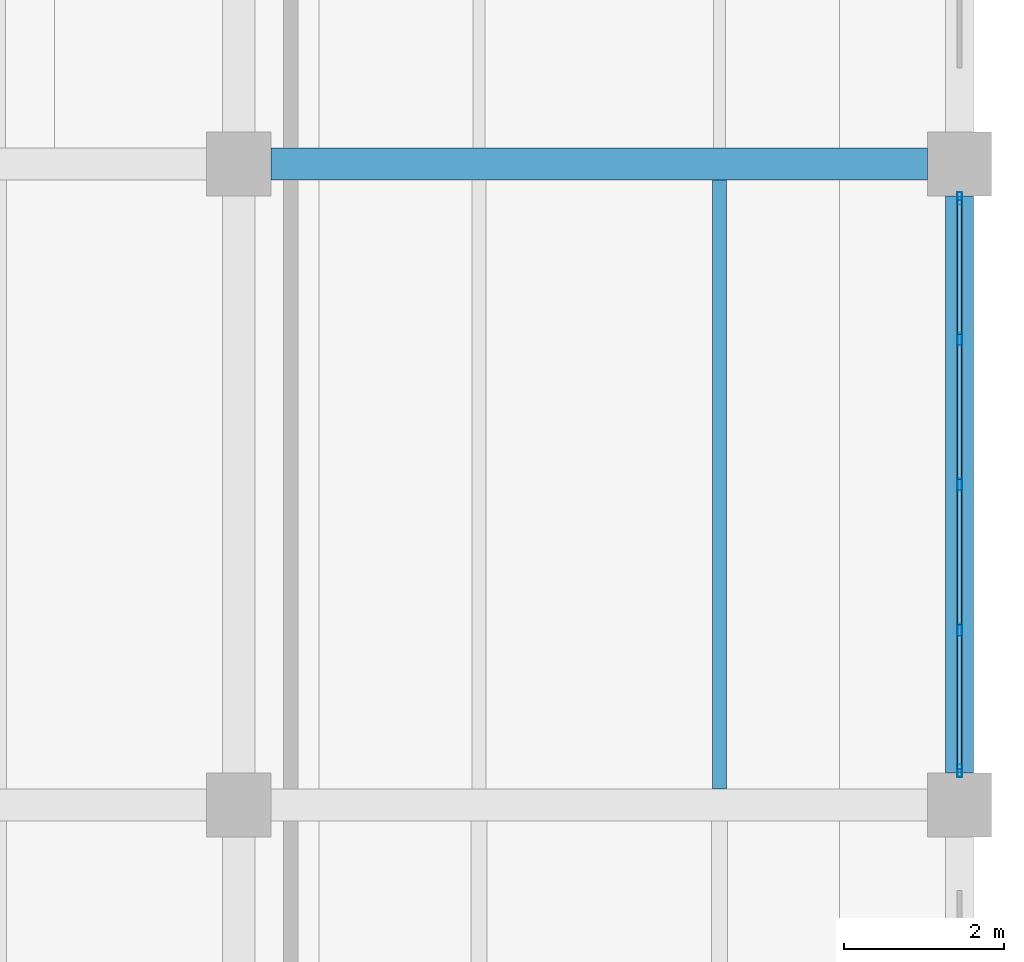
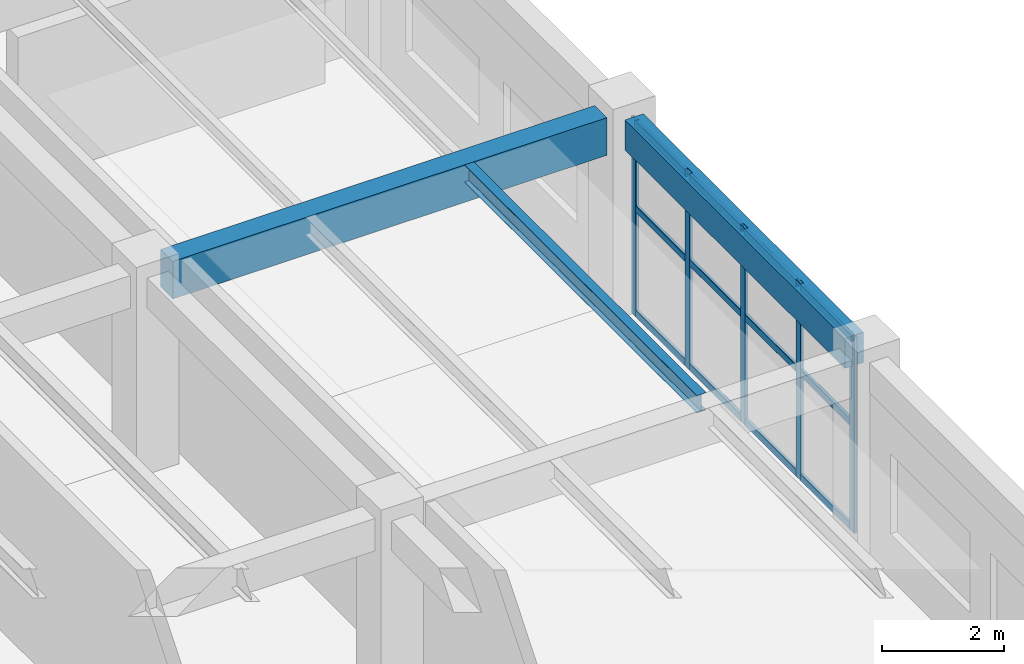
# One storey, part 98 of 148: 17 members, 3 beams, 1 element without a shape of its own.
"""IFC4 building model written with IfcOpenShell, lengths in metres."""

from ifc_helpers import new_model, si_unit, derived_unit, direction, frame, origin, origin_2d, place, context, subcontext, project, spatial, rectangle, hollow_rectangle, i_section, extrude, material, material_profile, profile_set, type_object, element, aggregate, save


model = new_model("IFC4")

# Units and contexts
model_context = context("Model", 3, precision=1e-05, world=origin(), true_north=direction((0.0, 1.0)))
body_context = subcontext(model_context, "Body", "Model", "MODEL_VIEW")
ifc_project = project(units=[si_unit("LENGTHUNIT", "METRE"), si_unit("AREAUNIT", "SQUARE_METRE"), si_unit("VOLUMEUNIT", "CUBIC_METRE"), si_unit("PLANEANGLEUNIT", "RADIAN"), si_unit("MASSUNIT", "GRAM", prefix="KILO"), derived_unit("THERMALTRANSMITTANCEUNIT", [(si_unit("MASSUNIT", "GRAM", prefix="KILO"), 1), (si_unit("TIMEUNIT", "SECOND"), -3), (si_unit("THERMODYNAMICTEMPERATUREUNIT", "KELVIN"), -1)])], contexts=[model_context])

# Site, building, storey
site_placement = place(None, origin())
site = spatial("IfcSite", under=ifc_project, at=site_placement, CompositionType="ELEMENT")
building_placement = place(site_placement, origin())
building = spatial("IfcBuilding", under=site, at=building_placement, Name="Zhenchuan Archway Interchange", CompositionType="ELEMENT")
storey_placement = place(building_placement, frame((0.0, 0.0, 10.199951171875)))
storey = spatial("IfcBuildingStorey", under=building, at=storey_placement, Name="L02", CompositionType="ELEMENT", Elevation=10.199951171875)

# Beam
ifc_material_1 = material(Name="Concrete C40", Category="concrete")
ifc_material_profile_1 = material_profile(ifc_material_1, rectangle(XDim=0.39990234375, YDim=0.75, at=origin_2d()), Name="RC 400x750")
ifc_profile_set_1 = profile_set([ifc_material_profile_1], Name="Concrete C40")
beam_type_1 = type_object("IfcBeamType", Name="BM_RC_400x750", PredefinedType="BEAM", material=ifc_profile_set_1)
beam_1_placement = place(storey_placement, frame((162.39990234375, 40.0, 3.545166015625), z_axis=(1.0, 0.0, 0.0), x_axis=(0.0, 1.0, 0.0)))
element("IfcBeam", 1, at=beam_1_placement, inside=storey, type_object=beam_type_1, Name="Beam F:19-20 (L02)", PredefinedType="BEAM", context=body_context, shape_type="SweptSolid", body=[
    extrude(rectangle(XDim=0.39990234375, YDim=0.75, at=origin_2d()), origin(), (0.0, 0.0, 1.0), 8.2001953125),
])

# Curtain wall, members
ifc_material_2 = material(Name="Anodised Aluminium", Category="aluminium")
curtain_wall_type = type_object("IfcCurtainWallType", Name="CW_UNIT_3", PredefinedType="NOTDEFINED", material=ifc_material_2)
curtain_wall_placement = place(storey_placement, origin())
curtain_wall = element("IfcCurtainWall", 2, at=curtain_wall_placement, inside=storey, type_object=curtain_wall_type, Name="Unitised curtain wall CW:L02:154", PredefinedType="NOTDEFINED")
ifc_material_profile_2 = material_profile(ifc_material_2, hollow_rectangle(XDim=0.06005859375, YDim=0.159912109375, WallThickness=0.00390625, InnerFilletRadius=0.00390625, OuterFilletRadius=0.008056640625, at=origin_2d()), Name="ALU 160x60x4")
ifc_profile_set_2 = profile_set([ifc_material_profile_2], Name="Anodised Aluminium")
member_type_1 = type_object("IfcMemberType", Name="CW_MUL_150", PredefinedType="MULLION", material=ifc_profile_set_2)
member_1_placement = place(storey_placement, frame((171.0, 39.572021484375, 0.0), z_axis=(0.0, 0.0, 1.0), x_axis=(1.0, 0.0, 0.0)))
member_1 = element("IfcMember", 3, at=member_1_placement, type_object=member_type_1, Name="CW:L02:154 mullion 0", PredefinedType="MULLION", context=body_context, shape_type="SweptSolid", body=[
    extrude(hollow_rectangle(XDim=0.06005859375, YDim=0.159912109375, WallThickness=0.00390625, InnerFilletRadius=0.00390625, OuterFilletRadius=0.008056640625, at=origin_2d()), origin(), (0.0, 0.0, 1.0), 3.920166015625),
])
member_2_placement = place(storey_placement, frame((171.0, 37.81591796875, 0.0), z_axis=(0.0, 0.0, 1.0), x_axis=(1.0, 0.0, 0.0)))
member_2 = element("IfcMember", 4, at=member_2_placement, type_object=member_type_1, Name="CW:L02:154 mullion 1", PredefinedType="MULLION", context=body_context, shape_type="SweptSolid", body=[
    extrude(hollow_rectangle(XDim=0.06005859375, YDim=0.159912109375, WallThickness=0.00390625, InnerFilletRadius=0.00390625, OuterFilletRadius=0.008056640625, at=origin_2d()), origin(), (0.0, 0.0, 1.0), 3.920166015625),
])
member_3_placement = place(storey_placement, frame((171.0, 36.0, 0.0), z_axis=(0.0, 0.0, 1.0), x_axis=(1.0, 0.0, 0.0)))
member_3 = element("IfcMember", 5, at=member_3_placement, type_object=member_type_1, Name="CW:L02:154 mullion 2", PredefinedType="MULLION", context=body_context, shape_type="SweptSolid", body=[
    extrude(hollow_rectangle(XDim=0.06005859375, YDim=0.159912109375, WallThickness=0.00390625, InnerFilletRadius=0.00390625, OuterFilletRadius=0.008056640625, at=origin_2d()), origin(), (0.0, 0.0, 1.0), 3.920166015625),
])
member_4_placement = place(storey_placement, frame((171.0, 34.18408203125, 0.0), z_axis=(0.0, 0.0, 1.0), x_axis=(1.0, 0.0, 0.0)))
member_4 = element("IfcMember", 6, at=member_4_placement, type_object=member_type_1, Name="CW:L02:154 mullion 3", PredefinedType="MULLION", context=body_context, shape_type="SweptSolid", body=[
    extrude(hollow_rectangle(XDim=0.06005859375, YDim=0.159912109375, WallThickness=0.00390625, InnerFilletRadius=0.00390625, OuterFilletRadius=0.008056640625, at=origin_2d()), origin(), (0.0, 0.0, 1.0), 3.920166015625),
])
member_5_placement = place(storey_placement, frame((171.0, 32.427978515625, 0.0), z_axis=(0.0, 0.0, 1.0), x_axis=(1.0, 0.0, 0.0)))
member_5 = element("IfcMember", 7, at=member_5_placement, type_object=member_type_1, Name="CW:L02:154 mullion 4", PredefinedType="MULLION", context=body_context, shape_type="SweptSolid", body=[
    extrude(hollow_rectangle(XDim=0.06005859375, YDim=0.159912109375, WallThickness=0.00390625, InnerFilletRadius=0.00390625, OuterFilletRadius=0.008056640625, at=origin_2d()), origin(), (0.0, 0.0, 1.0), 3.920166015625),
])
ifc_material_profile_3 = material_profile(ifc_material_2, hollow_rectangle(XDim=0.06005859375, YDim=0.139892578125, WallThickness=0.00341796875, InnerFilletRadius=0.00341796875, OuterFilletRadius=0.007080078125, at=origin_2d()), Name="ALU 140x60x3.5")
ifc_profile_set_3 = profile_set([ifc_material_profile_3], Name="Anodised Aluminium")
member_type_2 = type_object("IfcMemberType", Name="CW_TRN_140", PredefinedType="USERDEFINED", material=ifc_profile_set_3)
member_6_placement = place(storey_placement, frame((171.0, 39.552001953125, 0.06005859375), z_axis=(0.0, -1.0, 0.0), x_axis=(1.0, 0.0, 0.0)))
member_6 = element("IfcMember", 8, at=member_6_placement, type_object=member_type_2, Name="CW:L02:154 transom 0-1", ObjectType="TRANSOM", PredefinedType="USERDEFINED", context=body_context, shape_type="SweptSolid", body=[
    extrude(hollow_rectangle(XDim=0.06005859375, YDim=0.139892578125, WallThickness=0.00341796875, InnerFilletRadius=0.00341796875, OuterFilletRadius=0.007080078125, at=origin_2d()), origin(), (0.0, 0.0, 1.0), 1.676025390625),
])
member_7_placement = place(storey_placement, frame((171.0, 39.552001953125, 2.14501953125), z_axis=(0.0, -1.0, 0.0), x_axis=(1.0, 0.0, 0.0)))
member_7 = element("IfcMember", 9, at=member_7_placement, type_object=member_type_2, Name="CW:L02:154 transom 0-2", ObjectType="TRANSOM", PredefinedType="USERDEFINED", context=body_context, shape_type="SweptSolid", body=[
    extrude(hollow_rectangle(XDim=0.06005859375, YDim=0.139892578125, WallThickness=0.00341796875, InnerFilletRadius=0.00341796875, OuterFilletRadius=0.007080078125, at=origin_2d()), origin(), (0.0, 0.0, 1.0), 1.676025390625),
])
member_8_placement = place(storey_placement, frame((171.0, 39.552001953125, 3.840087890625), z_axis=(0.0, -1.0, 0.0), x_axis=(1.0, 0.0, 0.0)))
member_8 = element("IfcMember", 10, at=member_8_placement, type_object=member_type_2, Name="CW:L02:154 transom 0-3", ObjectType="TRANSOM", PredefinedType="USERDEFINED", context=body_context, shape_type="SweptSolid", body=[
    extrude(hollow_rectangle(XDim=0.06005859375, YDim=0.139892578125, WallThickness=0.00341796875, InnerFilletRadius=0.00341796875, OuterFilletRadius=0.007080078125, at=origin_2d()), origin(), (0.0, 0.0, 1.0), 1.676025390625),
])
member_9_placement = place(storey_placement, frame((171.0, 37.756103515625, 0.06005859375), z_axis=(0.0, -1.0, 0.0), x_axis=(1.0, 0.0, 0.0)))
member_9 = element("IfcMember", 11, at=member_9_placement, type_object=member_type_2, Name="CW:L02:154 transom 1-1", ObjectType="TRANSOM", PredefinedType="USERDEFINED", context=body_context, shape_type="SweptSolid", body=[
    extrude(hollow_rectangle(XDim=0.06005859375, YDim=0.139892578125, WallThickness=0.00341796875, InnerFilletRadius=0.00341796875, OuterFilletRadius=0.007080078125, at=origin_2d()), origin(), (0.0, 0.0, 1.0), 1.696044921875),
])
member_10_placement = place(storey_placement, frame((171.0, 37.756103515625, 2.14501953125), z_axis=(0.0, -1.0, 0.0), x_axis=(1.0, 0.0, 0.0)))
member_10 = element("IfcMember", 12, at=member_10_placement, type_object=member_type_2, Name="CW:L02:154 transom 1-2", ObjectType="TRANSOM", PredefinedType="USERDEFINED", context=body_context, shape_type="SweptSolid", body=[
    extrude(hollow_rectangle(XDim=0.06005859375, YDim=0.139892578125, WallThickness=0.00341796875, InnerFilletRadius=0.00341796875, OuterFilletRadius=0.007080078125, at=origin_2d()), origin(), (0.0, 0.0, 1.0), 1.696044921875),
])
member_11_placement = place(storey_placement, frame((171.0, 37.756103515625, 3.840087890625), z_axis=(0.0, -1.0, 0.0), x_axis=(1.0, 0.0, 0.0)))
member_11 = element("IfcMember", 13, at=member_11_placement, type_object=member_type_2, Name="CW:L02:154 transom 1-3", ObjectType="TRANSOM", PredefinedType="USERDEFINED", context=body_context, shape_type="SweptSolid", body=[
    extrude(hollow_rectangle(XDim=0.06005859375, YDim=0.139892578125, WallThickness=0.00341796875, InnerFilletRadius=0.00341796875, OuterFilletRadius=0.007080078125, at=origin_2d()), origin(), (0.0, 0.0, 1.0), 1.696044921875),
])
member_12_placement = place(storey_placement, frame((171.0, 35.93994140625, 0.06005859375), z_axis=(0.0, -1.0, 0.0), x_axis=(1.0, 0.0, 0.0)))
member_12 = element("IfcMember", 14, at=member_12_placement, type_object=member_type_2, Name="CW:L02:154 transom 2-1", ObjectType="TRANSOM", PredefinedType="USERDEFINED", context=body_context, shape_type="SweptSolid", body=[
    extrude(hollow_rectangle(XDim=0.06005859375, YDim=0.139892578125, WallThickness=0.00341796875, InnerFilletRadius=0.00341796875, OuterFilletRadius=0.007080078125, at=origin_2d()), origin(), (0.0, 0.0, 1.0), 1.696044921875),
])
member_13_placement = place(storey_placement, frame((171.0, 35.93994140625, 2.14501953125), z_axis=(0.0, -1.0, 0.0), x_axis=(1.0, 0.0, 0.0)))
member_13 = element("IfcMember", 15, at=member_13_placement, type_object=member_type_2, Name="CW:L02:154 transom 2-2", ObjectType="TRANSOM", PredefinedType="USERDEFINED", context=body_context, shape_type="SweptSolid", body=[
    extrude(hollow_rectangle(XDim=0.06005859375, YDim=0.139892578125, WallThickness=0.00341796875, InnerFilletRadius=0.00341796875, OuterFilletRadius=0.007080078125, at=origin_2d()), origin(), (0.0, 0.0, 1.0), 1.696044921875),
])
member_14_placement = place(storey_placement, frame((171.0, 35.93994140625, 3.840087890625), z_axis=(0.0, -1.0, 0.0), x_axis=(1.0, 0.0, 0.0)))
member_14 = element("IfcMember", 16, at=member_14_placement, type_object=member_type_2, Name="CW:L02:154 transom 2-3", ObjectType="TRANSOM", PredefinedType="USERDEFINED", context=body_context, shape_type="SweptSolid", body=[
    extrude(hollow_rectangle(XDim=0.06005859375, YDim=0.139892578125, WallThickness=0.00341796875, InnerFilletRadius=0.00341796875, OuterFilletRadius=0.007080078125, at=origin_2d()), origin(), (0.0, 0.0, 1.0), 1.696044921875),
])
member_15_placement = place(storey_placement, frame((171.0, 34.1240234375, 0.06005859375), z_axis=(0.0, -1.0, 0.0), x_axis=(1.0, 0.0, 0.0)))
member_15 = element("IfcMember", 17, at=member_15_placement, type_object=member_type_2, Name="CW:L02:154 transom 3-1", ObjectType="TRANSOM", PredefinedType="USERDEFINED", context=body_context, shape_type="SweptSolid", body=[
    extrude(hollow_rectangle(XDim=0.06005859375, YDim=0.139892578125, WallThickness=0.00341796875, InnerFilletRadius=0.00341796875, OuterFilletRadius=0.007080078125, at=origin_2d()), origin(), (0.0, 0.0, 1.0), 1.676025390625),
])
member_16_placement = place(storey_placement, frame((171.0, 34.1240234375, 2.14501953125), z_axis=(0.0, -1.0, 0.0), x_axis=(1.0, 0.0, 0.0)))
member_16 = element("IfcMember", 18, at=member_16_placement, type_object=member_type_2, Name="CW:L02:154 transom 3-2", ObjectType="TRANSOM", PredefinedType="USERDEFINED", context=body_context, shape_type="SweptSolid", body=[
    extrude(hollow_rectangle(XDim=0.06005859375, YDim=0.139892578125, WallThickness=0.00341796875, InnerFilletRadius=0.00341796875, OuterFilletRadius=0.007080078125, at=origin_2d()), origin(), (0.0, 0.0, 1.0), 1.676025390625),
])
member_17_placement = place(storey_placement, frame((171.0, 34.1240234375, 3.840087890625), z_axis=(0.0, -1.0, 0.0), x_axis=(1.0, 0.0, 0.0)))
member_17 = element("IfcMember", 19, at=member_17_placement, type_object=member_type_2, Name="CW:L02:154 transom 3-3", ObjectType="TRANSOM", PredefinedType="USERDEFINED", context=body_context, shape_type="SweptSolid", body=[
    extrude(hollow_rectangle(XDim=0.06005859375, YDim=0.139892578125, WallThickness=0.00341796875, InnerFilletRadius=0.00341796875, OuterFilletRadius=0.007080078125, at=origin_2d()), origin(), (0.0, 0.0, 1.0), 1.676025390625),
])
aggregate(curtain_wall, [member_1, member_2, member_3, member_4, member_5, member_6, member_7, member_8, member_9, member_10, member_11, member_12, member_13, member_14, member_15, member_16, member_17])

# Beams
ifc_material_3 = material(Name="Steel Q355", Category="steel")
ifc_material_profile_4 = material_profile(ifc_material_3, i_section(OverallWidth=0.175048828125, OverallDepth=0.35009765625, WebThickness=0.007080078125, FlangeThickness=0.010986328125, FilletRadius=0.013916015625, at=origin_2d()), Name="HN 350x175")
ifc_profile_set_4 = profile_set([ifc_material_profile_4], Name="Steel Q355")
beam_type_2 = type_object("IfcBeamType", Name="JST_STL_HN350", PredefinedType="JOIST", material=ifc_profile_set_4)
beam_2_placement = place(storey_placement, frame((168.0, 32.199951171875, 3.7451171875), z_axis=(0.0, 1.0, 0.0), x_axis=(-1.0, 0.0, 0.0)))
element("IfcBeam", 20, at=beam_2_placement, inside=storey, type_object=beam_type_2, Name="Secondary joist 19-20/E-F #2 (L02)", PredefinedType="JOIST", context=body_context, shape_type="SweptSolid", body=[
    extrude(i_section(OverallWidth=0.175048828125, OverallDepth=0.35009765625, WebThickness=0.007080078125, FlangeThickness=0.010986328125, FilletRadius=0.013916015625, at=origin_2d()), origin(), (0.0, 0.0, 1.0), 7.60009765625),
])
ifc_material_profile_5 = material_profile(ifc_material_1, rectangle(XDim=0.35009765625, YDim=0.60009765625, at=origin_2d()), Name="RC 350x600")
ifc_profile_set_5 = profile_set([ifc_material_profile_5], Name="Concrete C40")
beam_type_3 = type_object("IfcBeamType", Name="SP_RC_350x600", PredefinedType="SPANDREL", material=ifc_profile_set_5)
beam_3_placement = place(storey_placement, frame((171.0, 32.39990234375, 3.6201171875), z_axis=(0.0, 1.0, 0.0), x_axis=(-1.0, 0.0, 0.0)))
element("IfcBeam", 21, at=beam_3_placement, inside=storey, type_object=beam_type_3, Name="Beam 20:E-F (L02)", PredefinedType="SPANDREL", context=body_context, shape_type="SweptSolid", body=[
    extrude(rectangle(XDim=0.35009765625, YDim=0.60009765625, at=origin_2d()), origin(), (0.0, 0.0, 1.0), 7.2001953125),
])

save(model, "model.ifc")
